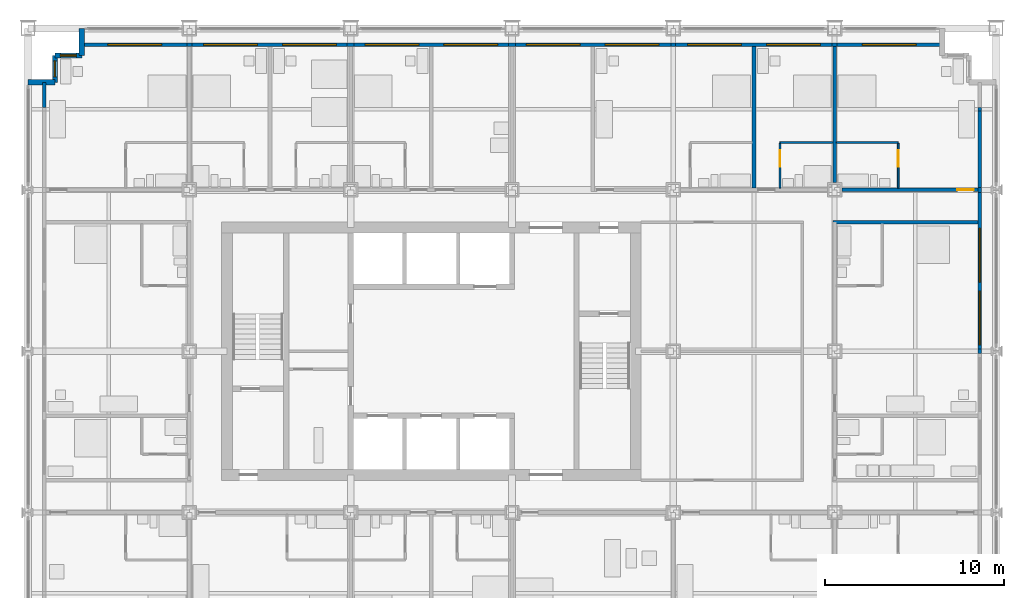
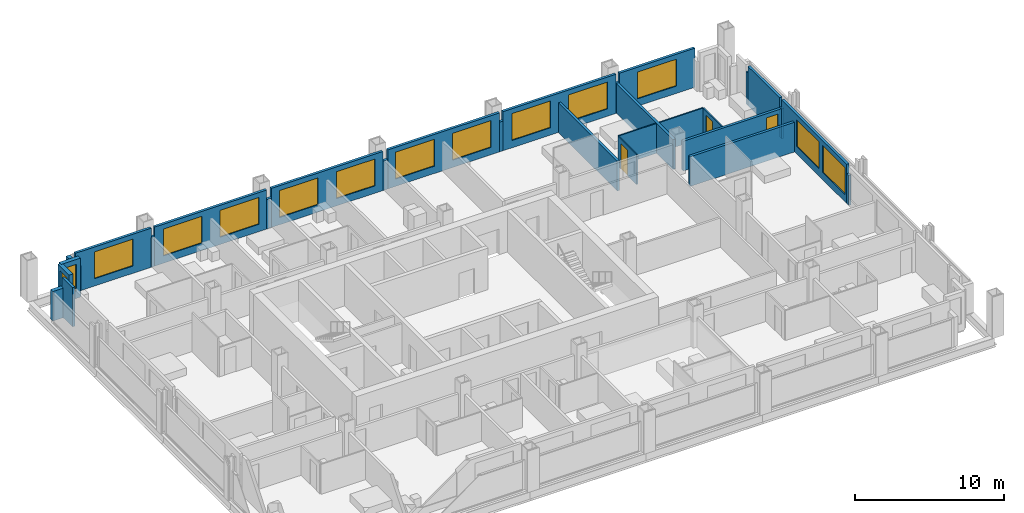
# One storey, part 14 of 18: 29 walls, 14 windows, 3 doors, 17 openings.
"""IFC4 building model written with IfcOpenShell, lengths in metres."""

from ifc_helpers import new_model, si_unit, direction, frame, frame_2d, origin, place, context, subcontext, project, spatial, rectangle, extrude, material, layer, layer_set, type_object, element, fill, save


model = new_model("IFC4")

# Units and contexts
model_context = context("Model", 3, precision=1e-05, world=origin(), true_north=direction((0.0, 1.0)))
body_context = subcontext(model_context, "Body", "Model", "MODEL_VIEW")
ifc_project = project(units=[si_unit("LENGTHUNIT", "METRE"), si_unit("AREAUNIT", "SQUARE_METRE"), si_unit("VOLUMEUNIT", "CUBIC_METRE"), si_unit("PLANEANGLEUNIT", "RADIAN"), si_unit("MASSUNIT", "GRAM", prefix="KILO")], contexts=[model_context])

# Site, building, storey
site_placement = place(None, origin())
site = spatial("IfcSite", under=ifc_project, at=site_placement, CompositionType="ELEMENT")
building_placement = place(site_placement, origin())
building = spatial("IfcBuilding", under=site, at=building_placement, Name="Loomwork Tower", CompositionType="ELEMENT")
storey_placement = place(building_placement, frame((0.0, 0.0, 68.800048828125)))
storey = spatial("IfcBuildingStorey", under=building, at=storey_placement, Name="L17", CompositionType="ELEMENT", Elevation=68.800048828125)

# Wall, opening, door
ifc_material_1 = material(Name="Gypsum board on steel studs, one-hour", Category="steel")
ifc_layer_1 = layer(ifc_material_1, 0.199951171875)
ifc_layer_set_1 = layer_set([ifc_layer_1], Name="Corridor wall 200")
wall_type_1 = type_object("IfcWallType", Name="Corridor wall 200", PredefinedType="PARTITIONING", material=ifc_layer_set_1)
wall_1_placement = place(storey_placement, frame((45.39990234375, 27.0, 0.0), z_axis=(0.0, 0.0, 1.0), x_axis=(1.0, 0.0, 0.0)))
wall_1 = element("IfcWall", 1, at=wall_1_placement, inside=storey, type_object=wall_type_1, Name="North corridor wall 6", PredefinedType="PARTITIONING", context=body_context, shape_type="SweptSolid", body=[
    extrude(rectangle(XDim=7.60009765625, YDim=0.199951171875, at=frame_2d((3.800048828125, 0.0))), origin(), (0.0, 0.0, 1.0), 2.43798828125),
])
opening_1_placement = place(wall_1_placement, frame((6.449951171875, 0.0, 0.0)))
opening_1 = element("IfcOpeningElement", 2, at=opening_1_placement, cuts=wall_1, Name="Opening D1", PredefinedType="OPENING", context=body_context, shape_type="SweptSolid", body=[
    extrude(rectangle(XDim=0.89990234375, YDim=2.10009765625, at=frame_2d((0.449951171875, 1.050048828125))), frame((0.0, 0.10986328125, 0.0), z_axis=(0.0, -1.0, 0.0), x_axis=(1.0, 0.0, 0.0)), (0.0, 0.0, 1.0), 0.219970703125),
])
ifc_material_2 = material(Name="Hollow metal door and frame")
door_type_1 = type_object("IfcDoorType", Name="Guest room entry door 900", OperationType="SINGLE_SWING_LEFT", PredefinedType="DOOR", material=ifc_material_2)
door_1_placement = place(opening_1_placement, origin())
door_1 = element("IfcDoor", 3, at=door_1_placement, inside=storey, type_object=door_type_1, Name="Guest room entry door L17 15", OperationType="SINGLE_SWING_RIGHT", OverallHeight=2.10009765625, OverallWidth=0.89990234375, PredefinedType="DOOR", context=body_context, shape_type="SweptSolid", body=[
    extrude(rectangle(XDim=0.89990234375, YDim=2.10009765625, at=frame_2d((0.449951171875, 1.050048828125))), frame((0.0, 0.02490234375, 0.0), z_axis=(0.0, -1.0, 0.0), x_axis=(1.0, 0.0, 0.0)), (0.0, 0.0, 1.0), 0.050048828125),
])
fill(opening_1, door_1)

# Walls
wall_2_placement = place(storey_placement, frame((44.89990234375, 25.199951171875, 0.0), z_axis=(0.0, 0.0, 1.0), x_axis=(1.0, 0.0, 0.0)))
element("IfcWall", 4, at=wall_2_placement, inside=storey, type_object=wall_type_1, Name="East band end wall N", PredefinedType="PARTITIONING", context=body_context, shape_type="SweptSolid", body=[
    extrude(rectangle(XDim=8.10009765625, YDim=0.199951171875, at=frame_2d((4.050048828125, 0.0))), origin(), (0.0, 0.0, 1.0), 2.43798828125),
])
ifc_material_3 = material(Name="Cement board on steel studs", Category="steel")
ifc_layer_2 = layer(ifc_material_3, 0.10009765625)
ifc_layer_set_2 = layer_set([ifc_layer_2], Name="En-suite partition 100")
wall_type_2 = type_object("IfcWallType", Name="En-suite partition 100", PredefinedType="PARTITIONING", material=ifc_layer_set_2)
wall_3_placement = place(storey_placement, frame((41.949951171875, 29.64990234375, 0.0), z_axis=(0.0, 0.0, 1.0), x_axis=(1.0, 0.0, 0.0)))
element("IfcWall", 5, at=wall_3_placement, inside=storey, type_object=wall_type_2, Name="En-suite wall L17 room 14", PredefinedType="PARTITIONING", context=body_context, shape_type="SweptSolid", body=[
    extrude(rectangle(XDim=2.949951171875, YDim=0.10009765625, at=frame_2d((1.47509765625, 0.0))), origin(), (0.0, 0.0, 1.0), 2.43798828125),
])

# Wall, opening, door
wall_4_placement = place(storey_placement, frame((41.949951171875, 27.10009765625, 0.0), z_axis=(0.0, 0.0, 1.0), x_axis=(0.0, 1.0, 0.0)))
wall_4 = element("IfcWall", 6, at=wall_4_placement, inside=storey, type_object=wall_type_2, Name="En-suite side wall L17 room 14", PredefinedType="PARTITIONING", context=body_context, shape_type="SweptSolid", body=[
    extrude(rectangle(XDim=2.5, YDim=0.10009765625, at=frame_2d((1.25, 0.0))), origin(), (0.0, 0.0, 1.0), 2.43798828125),
])
opening_2_placement = place(wall_4_placement, frame((1.199951171875, 0.0, 0.0)))
opening_2 = element("IfcOpeningElement", 7, at=opening_2_placement, cuts=wall_4, Name="Opening D3", PredefinedType="OPENING", context=body_context, shape_type="SweptSolid", body=[
    extrude(rectangle(XDim=0.89990234375, YDim=2.10009765625, at=frame_2d((0.449951171875, 1.050048828125))), frame((0.0, 0.06005859375, 0.0), z_axis=(0.0, -1.0, 0.0), x_axis=(1.0, 0.0, 0.0)), (0.0, 0.0, 1.0), 0.1201171875),
])
ifc_material_4 = material(Name="Hollow metal door and frame")
door_type_2 = type_object("IfcDoorType", Name="Accessible en-suite door 900", OperationType="SLIDING_TO_LEFT", PredefinedType="DOOR", material=ifc_material_4)
door_2_placement = place(opening_2_placement, origin())
door_2 = element("IfcDoor", 8, at=door_2_placement, inside=storey, type_object=door_type_2, Name="Accessible en-suite door room 14", OperationType="SLIDING_TO_LEFT", OverallHeight=2.10009765625, OverallWidth=0.89990234375, PredefinedType="DOOR", context=body_context, shape_type="SweptSolid", body=[
    extrude(rectangle(XDim=0.89990234375, YDim=2.10009765625, at=frame_2d((0.449951171875, 1.050048828125))), frame((0.0, 0.02490234375, 0.0), z_axis=(0.0, -1.0, 0.0), x_axis=(1.0, 0.0, 0.0)), (0.0, 0.0, 1.0), 0.050048828125),
])
fill(opening_2, door_2)

# Wall
wall_5_placement = place(storey_placement, frame((45.10009765625, 29.64990234375, 0.0), z_axis=(0.0, 0.0, 1.0), x_axis=(1.0, 0.0, 0.0)))
element("IfcWall", 9, at=wall_5_placement, inside=storey, type_object=wall_type_2, Name="En-suite wall L17 room 15", PredefinedType="PARTITIONING", context=body_context, shape_type="SweptSolid", body=[
    extrude(rectangle(XDim=3.449951171875, YDim=0.10009765625, at=frame_2d((1.72509765625, 0.0))), origin(), (0.0, 0.0, 1.0), 2.43798828125),
])

# Wall, opening, door
wall_6_placement = place(storey_placement, frame((48.550048828125, 27.10009765625, 0.0), z_axis=(0.0, 0.0, 1.0), x_axis=(0.0, 1.0, 0.0)))
wall_6 = element("IfcWall", 10, at=wall_6_placement, inside=storey, type_object=wall_type_2, Name="En-suite side wall L17 room 15", PredefinedType="PARTITIONING", context=body_context, shape_type="SweptSolid", body=[
    extrude(rectangle(XDim=2.5, YDim=0.10009765625, at=frame_2d((1.25, 0.0))), origin(), (0.0, 0.0, 1.0), 2.43798828125),
])
opening_3_placement = place(wall_6_placement, frame((1.199951171875, 0.0, 0.0)))
opening_3 = element("IfcOpeningElement", 11, at=opening_3_placement, cuts=wall_6, Name="Opening D2", PredefinedType="OPENING", context=body_context, shape_type="SweptSolid", body=[
    extrude(rectangle(XDim=0.89990234375, YDim=2.10009765625, at=frame_2d((0.449951171875, 1.050048828125))), frame((0.0, 0.06005859375, 0.0), z_axis=(0.0, -1.0, 0.0), x_axis=(1.0, 0.0, 0.0)), (0.0, 0.0, 1.0), 0.1201171875),
])
ifc_material_5 = material(Name="Hollow metal door and frame")
door_type_3 = type_object("IfcDoorType", Name="En-suite door 900", OperationType="SINGLE_SWING_LEFT", PredefinedType="DOOR", material=ifc_material_5)
door_3_placement = place(opening_3_placement, origin())
door_3 = element("IfcDoor", 12, at=door_3_placement, inside=storey, type_object=door_type_3, Name="En-suite door room 15", OperationType="SINGLE_SWING_RIGHT", OverallHeight=2.10009765625, OverallWidth=0.89990234375, PredefinedType="DOOR", context=body_context, shape_type="SweptSolid", body=[
    extrude(rectangle(XDim=0.89990234375, YDim=2.10009765625, at=frame_2d((0.449951171875, 1.050048828125))), frame((0.0, 0.02490234375, 0.0), z_axis=(0.0, -1.0, 0.0), x_axis=(1.0, 0.0, 0.0)), (0.0, 0.0, 1.0), 0.050048828125),
])
fill(opening_3, door_3)

# Walls
ifc_material_6 = material(Name="Gypsum board on steel studs, acoustic", Category="steel")
ifc_layer_3 = layer(ifc_material_6, 0.199951171875)
ifc_layer_set_3 = layer_set([ifc_layer_3], Name="Guest room party wall 200")
wall_type_3 = type_object("IfcWallType", Name="Guest room party wall 200", PredefinedType="PARTITIONING", material=ifc_layer_set_3)
wall_7_placement = place(storey_placement, frame((40.5, 27.10009765625, 0.0), z_axis=(0.0, 0.0, 1.0), x_axis=(0.0, 1.0, 0.0)))
element("IfcWall", 13, at=wall_7_placement, inside=storey, type_object=wall_type_3, Name="Guest room party wall N 40.5", PredefinedType="PARTITIONING", context=body_context, shape_type="SweptSolid", body=[
    extrude(rectangle(XDim=7.89990234375, YDim=0.199951171875, at=frame_2d((3.949951171875, 0.0))), origin(), (0.0, 0.0, 1.0), 2.43798828125),
])
wall_8_placement = place(storey_placement, frame((45.0, 27.39990234375, 0.0), z_axis=(0.0, 0.0, 1.0), x_axis=(0.0, 1.0, 0.0)))
element("IfcWall", 14, at=wall_8_placement, inside=storey, type_object=wall_type_3, Name="Guest room party wall N 45", PredefinedType="PARTITIONING", context=body_context, shape_type="SweptSolid", body=[
    extrude(rectangle(XDim=7.60009765625, YDim=0.199951171875, at=frame_2d((3.800048828125, 0.0))), origin(), (0.0, 0.0, 1.0), 2.43798828125),
])

# Wall, opening, window
ifc_material_7 = material(Name="Insulated steel stud wall with gypsum lining", Category="steel")
ifc_layer_4 = layer(ifc_material_7, 0.199951171875)
ifc_layer_set_4 = layer_set([ifc_layer_4], Name="Inner skin wall 200")
wall_type_4 = type_object("IfcWallType", Name="Inner skin wall 200", PredefinedType="SOLIDWALL", material=ifc_layer_set_4)
wall_9_placement = place(storey_placement, frame((3.0, 35.10009765625, 0.0), z_axis=(0.0, 0.0, 1.0), x_axis=(1.0, 0.0, 0.0)))
wall_9 = element("IfcWall", 15, at=wall_9_placement, inside=storey, type_object=wall_type_4, Name="Inner skin wall N", PredefinedType="SOLIDWALL", context=body_context, shape_type="SweptSolid", body=[
    extrude(rectangle(XDim=5.86474609375, YDim=0.199951171875, at=frame_2d((2.932373046875, 0.0))), origin(), (0.0, 0.0, 1.0), 3.199951171875),
])
opening_4_placement = place(wall_9_placement, frame((1.449951171875, 0.0, 0.60009765625)))
opening_4 = element("IfcOpeningElement", 16, at=opening_4_placement, cuts=wall_9, Name="Opening CH1", PredefinedType="OPENING", context=body_context, shape_type="SweptSolid", body=[
    extrude(rectangle(XDim=3.0, YDim=2.199951171875, at=frame_2d((1.5, 1.10009765625))), frame((0.0, 0.10986328125, 0.0), z_axis=(0.0, -1.0, 0.0), x_axis=(1.0, 0.0, 0.0)), (0.0, 0.0, 1.0), 0.219970703125),
])
ifc_material_8 = material(Name="Aluminium frame with clear insulated glass", Category="aluminium")
window_type_1 = type_object("IfcWindowType", Name="Chicago window 3000", PartitioningType="TRIPLE_PANEL_VERTICAL", PredefinedType="WINDOW", material=ifc_material_8)
window_1_placement = place(opening_4_placement, origin())
window_1 = element("IfcWindow", 17, at=window_1_placement, inside=storey, type_object=window_type_1, Name="Chicago window L17 bay 7", OverallHeight=2.199951171875, OverallWidth=3.0, PartitioningType="TRIPLE_PANEL_VERTICAL", PredefinedType="WINDOW", context=body_context, shape_type="SweptSolid", body=[
    extrude(rectangle(XDim=3.0, YDim=2.199951171875, at=frame_2d((1.5, 1.10009765625))), frame((0.0, 0.030029296875, 0.0), z_axis=(0.0, -1.0, 0.0), x_axis=(1.0, 0.0, 0.0)), (0.0, 0.0, 1.0), 0.06005859375),
])
fill(opening_4, window_1)

# Walls
wall_10_placement = place(storey_placement, frame((0.89990234375, 31.607421875, 0.0), z_axis=(0.0, 0.0, 1.0), x_axis=(0.0, 1.0, 0.0)))
element("IfcWall", 18, at=wall_10_placement, inside=storey, type_object=wall_type_4, Name="Inner skin wall W bay 11", PredefinedType="SOLIDWALL", context=body_context, shape_type="SweptSolid", body=[
    extrude(rectangle(XDim=1.392578125, YDim=0.199951171875, at=frame_2d((0.6962890625, 0.0))), origin(), (0.0, 0.0, 1.0), 3.199951171875),
])
wall_11_placement = place(storey_placement, frame((8.86474609375, 35.10009765625, 0.0), z_axis=(0.0, 0.0, 1.0), x_axis=(1.0, 0.0, 0.0)))
element("IfcWall", 19, at=wall_11_placement, inside=storey, type_object=wall_type_4, Name="Inner skin wall N bay 2", PredefinedType="SOLIDWALL", context=body_context, shape_type="SweptSolid", body=[
    extrude(rectangle(XDim=0.2705078125, YDim=0.199951171875, at=frame_2d((0.13525390625, 0.0))), origin(), (0.0, 0.0, 1.0), 2.43798828125),
])

# Wall, openings, windows
wall_12_placement = place(storey_placement, frame((9.13525390625, 35.10009765625, 0.0), z_axis=(0.0, 0.0, 1.0), x_axis=(1.0, 0.0, 0.0)))
wall_12 = element("IfcWall", 20, at=wall_12_placement, inside=storey, type_object=wall_type_4, Name="Inner skin wall N bay 3", PredefinedType="SOLIDWALL", context=body_context, shape_type="SweptSolid", body=[
    extrude(rectangle(XDim=8.6708984375, YDim=0.199951171875, at=frame_2d((4.33544921875, 0.0))), origin(), (0.0, 0.0, 1.0), 3.199951171875),
])
opening_5_placement = place(wall_12_placement, frame((0.664794921875, 0.0, 0.60009765625)))
opening_5 = element("IfcOpeningElement", 21, at=opening_5_placement, cuts=wall_12, Name="Opening CH1", PredefinedType="OPENING", context=body_context, shape_type="SweptSolid", body=[
    extrude(rectangle(XDim=3.0, YDim=2.199951171875, at=frame_2d((1.5, 1.10009765625))), frame((0.0, 0.10986328125, 0.0), z_axis=(0.0, -1.0, 0.0), x_axis=(1.0, 0.0, 0.0)), (0.0, 0.0, 1.0), 0.219970703125),
])
opening_6_placement = place(wall_12_placement, frame((5.064697265625, 0.0, 0.60009765625)))
opening_6 = element("IfcOpeningElement", 22, at=opening_6_placement, cuts=wall_12, Name="Opening CH1", PredefinedType="OPENING", context=body_context, shape_type="SweptSolid", body=[
    extrude(rectangle(XDim=3.0, YDim=2.199951171875, at=frame_2d((1.5, 1.10009765625))), frame((0.0, 0.10986328125, 0.0), z_axis=(0.0, -1.0, 0.0), x_axis=(1.0, 0.0, 0.0)), (0.0, 0.0, 1.0), 0.219970703125),
])
window_2_placement = place(opening_5_placement, origin())
window_2 = element("IfcWindow", 23, at=window_2_placement, inside=storey, type_object=window_type_1, Name="Chicago window L17 bay 8", OverallHeight=2.199951171875, OverallWidth=3.0, PartitioningType="TRIPLE_PANEL_VERTICAL", PredefinedType="WINDOW", context=body_context, shape_type="SweptSolid", body=[
    extrude(rectangle(XDim=3.0, YDim=2.199951171875, at=frame_2d((1.5, 1.10009765625))), frame((0.0, 0.030029296875, 0.0), z_axis=(0.0, -1.0, 0.0), x_axis=(1.0, 0.0, 0.0)), (0.0, 0.0, 1.0), 0.06005859375),
])
fill(opening_5, window_2)
window_3_placement = place(opening_6_placement, origin())
window_3 = element("IfcWindow", 24, at=window_3_placement, inside=storey, type_object=window_type_1, Name="Chicago window L17 bay 8", OverallHeight=2.199951171875, OverallWidth=3.0, PartitioningType="TRIPLE_PANEL_VERTICAL", PredefinedType="WINDOW", context=body_context, shape_type="SweptSolid", body=[
    extrude(rectangle(XDim=3.0, YDim=2.199951171875, at=frame_2d((1.5, 1.10009765625))), frame((0.0, 0.030029296875, 0.0), z_axis=(0.0, -1.0, 0.0), x_axis=(1.0, 0.0, 0.0)), (0.0, 0.0, 1.0), 0.06005859375),
])
fill(opening_6, window_3)

# Wall
wall_13_placement = place(storey_placement, frame((17.80615234375, 35.10009765625, 0.0), z_axis=(0.0, 0.0, 1.0), x_axis=(1.0, 0.0, 0.0)))
element("IfcWall", 25, at=wall_13_placement, inside=storey, type_object=wall_type_4, Name="Inner skin wall N bay 4", PredefinedType="SOLIDWALL", context=body_context, shape_type="SweptSolid", body=[
    extrude(rectangle(XDim=0.3876953125, YDim=0.199951171875, at=frame_2d((0.19384765625, 0.0))), origin(), (0.0, 0.0, 1.0), 2.404052734375),
])

# Wall, openings, windows
wall_14_placement = place(storey_placement, frame((18.19384765625, 35.10009765625, 0.0), z_axis=(0.0, 0.0, 1.0), x_axis=(1.0, 0.0, 0.0)))
wall_14 = element("IfcWall", 26, at=wall_14_placement, inside=storey, type_object=wall_type_4, Name="Inner skin wall N bay 5", PredefinedType="SOLIDWALL", context=body_context, shape_type="SweptSolid", body=[
    extrude(rectangle(XDim=8.6123046875, YDim=0.199951171875, at=frame_2d((4.30615234375, 0.0))), origin(), (0.0, 0.0, 1.0), 3.199951171875),
])
opening_7_placement = place(wall_14_placement, frame((0.606201171875, 0.0, 0.60009765625)))
opening_7 = element("IfcOpeningElement", 27, at=opening_7_placement, cuts=wall_14, Name="Opening CH1", PredefinedType="OPENING", context=body_context, shape_type="SweptSolid", body=[
    extrude(rectangle(XDim=3.0, YDim=2.199951171875, at=frame_2d((1.5, 1.10009765625))), frame((0.0, 0.10986328125, 0.0), z_axis=(0.0, -1.0, 0.0), x_axis=(1.0, 0.0, 0.0)), (0.0, 0.0, 1.0), 0.219970703125),
])
opening_8_placement = place(wall_14_placement, frame((5.006103515625, 0.0, 0.60009765625)))
opening_8 = element("IfcOpeningElement", 28, at=opening_8_placement, cuts=wall_14, Name="Opening CH1", PredefinedType="OPENING", context=body_context, shape_type="SweptSolid", body=[
    extrude(rectangle(XDim=3.0, YDim=2.199951171875, at=frame_2d((1.5, 1.10009765625))), frame((0.0, 0.10986328125, 0.0), z_axis=(0.0, -1.0, 0.0), x_axis=(1.0, 0.0, 0.0)), (0.0, 0.0, 1.0), 0.219970703125),
])
window_4_placement = place(opening_7_placement, origin())
window_4 = element("IfcWindow", 29, at=window_4_placement, inside=storey, type_object=window_type_1, Name="Chicago window L17 bay 9", OverallHeight=2.199951171875, OverallWidth=3.0, PartitioningType="TRIPLE_PANEL_VERTICAL", PredefinedType="WINDOW", context=body_context, shape_type="SweptSolid", body=[
    extrude(rectangle(XDim=3.0, YDim=2.199951171875, at=frame_2d((1.5, 1.10009765625))), frame((0.0, 0.030029296875, 0.0), z_axis=(0.0, -1.0, 0.0), x_axis=(1.0, 0.0, 0.0)), (0.0, 0.0, 1.0), 0.06005859375),
])
fill(opening_7, window_4)
window_5_placement = place(opening_8_placement, origin())
window_5 = element("IfcWindow", 30, at=window_5_placement, inside=storey, type_object=window_type_1, Name="Chicago window L17 bay 9", OverallHeight=2.199951171875, OverallWidth=3.0, PartitioningType="TRIPLE_PANEL_VERTICAL", PredefinedType="WINDOW", context=body_context, shape_type="SweptSolid", body=[
    extrude(rectangle(XDim=3.0, YDim=2.199951171875, at=frame_2d((1.5, 1.10009765625))), frame((0.0, 0.030029296875, 0.0), z_axis=(0.0, -1.0, 0.0), x_axis=(1.0, 0.0, 0.0)), (0.0, 0.0, 1.0), 0.06005859375),
])
fill(opening_8, window_5)

# Wall
wall_15_placement = place(storey_placement, frame((26.80615234375, 35.10009765625, 0.0), z_axis=(0.0, 0.0, 1.0), x_axis=(1.0, 0.0, 0.0)))
element("IfcWall", 31, at=wall_15_placement, inside=storey, type_object=wall_type_4, Name="Inner skin wall N bay 6", PredefinedType="SOLIDWALL", context=body_context, shape_type="SweptSolid", body=[
    extrude(rectangle(XDim=0.3876953125, YDim=0.199951171875, at=frame_2d((0.19384765625, 0.0))), origin(), (0.0, 0.0, 1.0), 2.404052734375),
])

# Wall, openings, windows
wall_16_placement = place(storey_placement, frame((27.19384765625, 35.10009765625, 0.0), z_axis=(0.0, 0.0, 1.0), x_axis=(1.0, 0.0, 0.0)))
wall_16 = element("IfcWall", 32, at=wall_16_placement, inside=storey, type_object=wall_type_4, Name="Inner skin wall N bay 7", PredefinedType="SOLIDWALL", context=body_context, shape_type="SweptSolid", body=[
    extrude(rectangle(XDim=8.670654296875, YDim=0.199951171875, at=frame_2d((4.33544921875, 0.0))), origin(), (0.0, 0.0, 1.0), 3.199951171875),
])
opening_9_placement = place(wall_16_placement, frame((0.606201171875, 0.0, 0.60009765625)))
opening_9 = element("IfcOpeningElement", 33, at=opening_9_placement, cuts=wall_16, Name="Opening CH1", PredefinedType="OPENING", context=body_context, shape_type="SweptSolid", body=[
    extrude(rectangle(XDim=3.0, YDim=2.199951171875, at=frame_2d((1.5, 1.10009765625))), frame((0.0, 0.10986328125, 0.0), z_axis=(0.0, -1.0, 0.0), x_axis=(1.0, 0.0, 0.0)), (0.0, 0.0, 1.0), 0.219970703125),
])
opening_10_placement = place(wall_16_placement, frame((5.006103515625, 0.0, 0.60009765625)))
opening_10 = element("IfcOpeningElement", 34, at=opening_10_placement, cuts=wall_16, Name="Opening CH1", PredefinedType="OPENING", context=body_context, shape_type="SweptSolid", body=[
    extrude(rectangle(XDim=3.0, YDim=2.199951171875, at=frame_2d((1.5, 1.10009765625))), frame((0.0, 0.10986328125, 0.0), z_axis=(0.0, -1.0, 0.0), x_axis=(1.0, 0.0, 0.0)), (0.0, 0.0, 1.0), 0.219970703125),
])
window_6_placement = place(opening_9_placement, origin())
window_6 = element("IfcWindow", 35, at=window_6_placement, inside=storey, type_object=window_type_1, Name="Chicago window L17 bay 10", OverallHeight=2.199951171875, OverallWidth=3.0, PartitioningType="TRIPLE_PANEL_VERTICAL", PredefinedType="WINDOW", context=body_context, shape_type="SweptSolid", body=[
    extrude(rectangle(XDim=3.0, YDim=2.199951171875, at=frame_2d((1.5, 1.10009765625))), frame((0.0, 0.030029296875, 0.0), z_axis=(0.0, -1.0, 0.0), x_axis=(1.0, 0.0, 0.0)), (0.0, 0.0, 1.0), 0.06005859375),
])
fill(opening_9, window_6)
window_7_placement = place(opening_10_placement, origin())
window_7 = element("IfcWindow", 36, at=window_7_placement, inside=storey, type_object=window_type_1, Name="Chicago window L17 bay 10", OverallHeight=2.199951171875, OverallWidth=3.0, PartitioningType="TRIPLE_PANEL_VERTICAL", PredefinedType="WINDOW", context=body_context, shape_type="SweptSolid", body=[
    extrude(rectangle(XDim=3.0, YDim=2.199951171875, at=frame_2d((1.5, 1.10009765625))), frame((0.0, 0.030029296875, 0.0), z_axis=(0.0, -1.0, 0.0), x_axis=(1.0, 0.0, 0.0)), (0.0, 0.0, 1.0), 0.06005859375),
])
fill(opening_10, window_7)

# Wall
wall_17_placement = place(storey_placement, frame((35.864501953125, 35.10009765625, 0.0), z_axis=(0.0, 0.0, 1.0), x_axis=(1.0, 0.0, 0.0)))
element("IfcWall", 37, at=wall_17_placement, inside=storey, type_object=wall_type_4, Name="Inner skin wall N bay 8", PredefinedType="SOLIDWALL", context=body_context, shape_type="SweptSolid", body=[
    extrude(rectangle(XDim=0.27099609375, YDim=0.199951171875, at=frame_2d((0.135498046875, 0.0))), origin(), (0.0, 0.0, 1.0), 2.43798828125),
])

# Wall, openings, windows
wall_18_placement = place(storey_placement, frame((36.135498046875, 35.10009765625, 0.0), z_axis=(0.0, 0.0, 1.0), x_axis=(1.0, 0.0, 0.0)))
wall_18 = element("IfcWall", 38, at=wall_18_placement, inside=storey, type_object=wall_type_4, Name="Inner skin wall N bay 9", PredefinedType="SOLIDWALL", context=body_context, shape_type="SweptSolid", body=[
    extrude(rectangle(XDim=8.72900390625, YDim=0.199951171875, at=frame_2d((4.364501953125, 0.0))), origin(), (0.0, 0.0, 1.0), 3.199951171875),
])
opening_11_placement = place(wall_18_placement, frame((0.66455078125, 0.0, 0.60009765625)))
opening_11 = element("IfcOpeningElement", 39, at=opening_11_placement, cuts=wall_18, Name="Opening CH1", PredefinedType="OPENING", context=body_context, shape_type="SweptSolid", body=[
    extrude(rectangle(XDim=3.0, YDim=2.199951171875, at=frame_2d((1.5, 1.10009765625))), frame((0.0, 0.10986328125, 0.0), z_axis=(0.0, -1.0, 0.0), x_axis=(1.0, 0.0, 0.0)), (0.0, 0.0, 1.0), 0.219970703125),
])
opening_12_placement = place(wall_18_placement, frame((5.064697265625, 0.0, 0.60009765625)))
opening_12 = element("IfcOpeningElement", 40, at=opening_12_placement, cuts=wall_18, Name="Opening CH1", PredefinedType="OPENING", context=body_context, shape_type="SweptSolid", body=[
    extrude(rectangle(XDim=3.0, YDim=2.199951171875, at=frame_2d((1.5, 1.10009765625))), frame((0.0, 0.10986328125, 0.0), z_axis=(0.0, -1.0, 0.0), x_axis=(1.0, 0.0, 0.0)), (0.0, 0.0, 1.0), 0.219970703125),
])
window_8_placement = place(opening_11_placement, origin())
window_8 = element("IfcWindow", 41, at=window_8_placement, inside=storey, type_object=window_type_1, Name="Chicago window L17 bay 11", OverallHeight=2.199951171875, OverallWidth=3.0, PartitioningType="TRIPLE_PANEL_VERTICAL", PredefinedType="WINDOW", context=body_context, shape_type="SweptSolid", body=[
    extrude(rectangle(XDim=3.0, YDim=2.199951171875, at=frame_2d((1.5, 1.10009765625))), frame((0.0, 0.030029296875, 0.0), z_axis=(0.0, -1.0, 0.0), x_axis=(1.0, 0.0, 0.0)), (0.0, 0.0, 1.0), 0.06005859375),
])
fill(opening_11, window_8)
window_9_placement = place(opening_12_placement, origin())
window_9 = element("IfcWindow", 42, at=window_9_placement, inside=storey, type_object=window_type_1, Name="Chicago window L17 bay 11", OverallHeight=2.199951171875, OverallWidth=3.0, PartitioningType="TRIPLE_PANEL_VERTICAL", PredefinedType="WINDOW", context=body_context, shape_type="SweptSolid", body=[
    extrude(rectangle(XDim=3.0, YDim=2.199951171875, at=frame_2d((1.5, 1.10009765625))), frame((0.0, 0.030029296875, 0.0), z_axis=(0.0, -1.0, 0.0), x_axis=(1.0, 0.0, 0.0)), (0.0, 0.0, 1.0), 0.06005859375),
])
fill(opening_12, window_9)

# Wall
wall_19_placement = place(storey_placement, frame((44.864501953125, 35.10009765625, 0.0), z_axis=(0.0, 0.0, 1.0), x_axis=(1.0, 0.0, 0.0)))
element("IfcWall", 43, at=wall_19_placement, inside=storey, type_object=wall_type_4, Name="Inner skin wall N bay 10", PredefinedType="SOLIDWALL", context=body_context, shape_type="SweptSolid", body=[
    extrude(rectangle(XDim=0.27099609375, YDim=0.199951171875, at=frame_2d((0.135498046875, 0.0))), origin(), (0.0, 0.0, 1.0), 2.43798828125),
])

# Wall, opening, window
wall_20_placement = place(storey_placement, frame((45.135498046875, 35.10009765625, 0.0), z_axis=(0.0, 0.0, 1.0), x_axis=(1.0, 0.0, 0.0)))
wall_20 = element("IfcWall", 44, at=wall_20_placement, inside=storey, type_object=wall_type_4, Name="Inner skin wall N bay 11", PredefinedType="SOLIDWALL", context=body_context, shape_type="SweptSolid", body=[
    extrude(rectangle(XDim=5.864501953125, YDim=0.199951171875, at=frame_2d((2.93212890625, 0.0))), origin(), (0.0, 0.0, 1.0), 3.199951171875),
])
opening_13_placement = place(wall_20_placement, frame((1.41455078125, 0.0, 0.60009765625)))
opening_13 = element("IfcOpeningElement", 45, at=opening_13_placement, cuts=wall_20, Name="Opening CH1", PredefinedType="OPENING", context=body_context, shape_type="SweptSolid", body=[
    extrude(rectangle(XDim=3.0, YDim=2.199951171875, at=frame_2d((1.5, 1.10009765625))), frame((0.0, 0.10986328125, 0.0), z_axis=(0.0, -1.0, 0.0), x_axis=(1.0, 0.0, 0.0)), (0.0, 0.0, 1.0), 0.219970703125),
])
window_10_placement = place(opening_13_placement, origin())
window_10 = element("IfcWindow", 46, at=window_10_placement, inside=storey, type_object=window_type_1, Name="Chicago window L17 bay 12", OverallHeight=2.199951171875, OverallWidth=3.0, PartitioningType="TRIPLE_PANEL_VERTICAL", PredefinedType="WINDOW", context=body_context, shape_type="SweptSolid", body=[
    extrude(rectangle(XDim=3.0, YDim=2.199951171875, at=frame_2d((1.5, 1.10009765625))), frame((0.0, 0.030029296875, 0.0), z_axis=(0.0, -1.0, 0.0), x_axis=(1.0, 0.0, 0.0)), (0.0, 0.0, 1.0), 0.06005859375),
])
fill(opening_13, window_10)

# Wall
wall_21_placement = place(storey_placement, frame((53.10009765625, 17.864501953125, 0.0), z_axis=(0.0, 0.0, 1.0), x_axis=(0.0, 1.0, 0.0)))
element("IfcWall", 47, at=wall_21_placement, inside=storey, type_object=wall_type_4, Name="Inner skin wall E bay 6", PredefinedType="SOLIDWALL", context=body_context, shape_type="SweptSolid", body=[
    extrude(rectangle(XDim=0.27099609375, YDim=0.199951171875, at=frame_2d((0.135498046875, 0.0))), origin(), (0.0, 0.0, 1.0), 2.43798828125),
])

# Wall, openings, windows
wall_22_placement = place(storey_placement, frame((53.10009765625, 18.135498046875, 0.0), z_axis=(0.0, 0.0, 1.0), x_axis=(0.0, 1.0, 0.0)))
wall_22 = element("IfcWall", 48, at=wall_22_placement, inside=storey, type_object=wall_type_4, Name="Inner skin wall E bay 7", PredefinedType="SOLIDWALL", context=body_context, shape_type="SweptSolid", body=[
    extrude(rectangle(XDim=8.729248046875, YDim=0.199951171875, at=frame_2d((4.36474609375, 0.0))), origin(), (0.0, 0.0, 1.0), 3.199951171875),
])
opening_14_placement = place(wall_22_placement, frame((0.214599609375, 0.0, 0.60009765625)))
opening_14 = element("IfcOpeningElement", 49, at=opening_14_placement, cuts=wall_22, Name="Opening CH1", PredefinedType="OPENING", context=body_context, shape_type="SweptSolid", body=[
    extrude(rectangle(XDim=3.0, YDim=2.199951171875, at=frame_2d((1.5, 1.10009765625))), frame((0.0, 0.10986328125, 0.0), z_axis=(0.0, -1.0, 0.0), x_axis=(1.0, 0.0, 0.0)), (0.0, 0.0, 1.0), 0.219970703125),
])
opening_15_placement = place(wall_22_placement, frame((3.714599609375, 0.0, 0.60009765625)))
opening_15 = element("IfcOpeningElement", 50, at=opening_15_placement, cuts=wall_22, Name="Opening CH1", PredefinedType="OPENING", context=body_context, shape_type="SweptSolid", body=[
    extrude(rectangle(XDim=3.0, YDim=2.199951171875, at=frame_2d((1.5, 1.10009765625))), frame((0.0, 0.10986328125, 0.0), z_axis=(0.0, -1.0, 0.0), x_axis=(1.0, 0.0, 0.0)), (0.0, 0.0, 1.0), 0.219970703125),
])
window_11_placement = place(opening_14_placement, origin())
window_11 = element("IfcWindow", 51, at=window_11_placement, inside=storey, type_object=window_type_1, Name="Chicago window L17 bay 16", OverallHeight=2.199951171875, OverallWidth=3.0, PartitioningType="TRIPLE_PANEL_VERTICAL", PredefinedType="WINDOW", context=body_context, shape_type="SweptSolid", body=[
    extrude(rectangle(XDim=3.0, YDim=2.199951171875, at=frame_2d((1.5, 1.10009765625))), frame((0.0, 0.030029296875, 0.0), z_axis=(0.0, -1.0, 0.0), x_axis=(1.0, 0.0, 0.0)), (0.0, 0.0, 1.0), 0.06005859375),
])
fill(opening_14, window_11)
window_12_placement = place(opening_15_placement, origin())
window_12 = element("IfcWindow", 52, at=window_12_placement, inside=storey, type_object=window_type_1, Name="Chicago window L17 bay 16", OverallHeight=2.199951171875, OverallWidth=3.0, PartitioningType="TRIPLE_PANEL_VERTICAL", PredefinedType="WINDOW", context=body_context, shape_type="SweptSolid", body=[
    extrude(rectangle(XDim=3.0, YDim=2.199951171875, at=frame_2d((1.5, 1.10009765625))), frame((0.0, 0.030029296875, 0.0), z_axis=(0.0, -1.0, 0.0), x_axis=(1.0, 0.0, 0.0)), (0.0, 0.0, 1.0), 0.06005859375),
])
fill(opening_15, window_12)

# Walls
wall_23_placement = place(storey_placement, frame((53.10009765625, 26.86474609375, 0.0), z_axis=(0.0, 0.0, 1.0), x_axis=(0.0, 1.0, 0.0)))
element("IfcWall", 53, at=wall_23_placement, inside=storey, type_object=wall_type_4, Name="Inner skin wall E bay 8", PredefinedType="SOLIDWALL", context=body_context, shape_type="SweptSolid", body=[
    extrude(rectangle(XDim=0.2705078125, YDim=0.199951171875, at=frame_2d((0.13525390625, 0.0))), origin(), (0.0, 0.0, 1.0), 2.43798828125),
])
wall_24_placement = place(storey_placement, frame((53.10009765625, 27.13525390625, 0.0), z_axis=(0.0, 0.0, 1.0), x_axis=(0.0, 1.0, 0.0)))
element("IfcWall", 54, at=wall_24_placement, inside=storey, type_object=wall_type_4, Name="Inner skin wall E bay 9", PredefinedType="SOLIDWALL", context=body_context, shape_type="SweptSolid", body=[
    extrude(rectangle(XDim=4.25732421875, YDim=0.199951171875, at=frame_2d((2.128662109375, 0.0))), origin(), (0.0, 0.0, 1.0), 3.199951171875),
])
wall_25_placement = place(storey_placement, frame((53.10009765625, 31.392578125, 0.0), z_axis=(0.0, 0.0, 1.0), x_axis=(0.0, 1.0, 0.0)))
element("IfcWall", 55, at=wall_25_placement, inside=storey, type_object=wall_type_4, Name="Inner skin wall E bay 10", PredefinedType="SOLIDWALL", context=body_context, shape_type="SweptSolid", body=[
    extrude(rectangle(XDim=0.21484375, YDim=0.199951171875, at=frame_2d((0.107421875, 0.0))), origin(), (0.0, 0.0, 1.0), 2.660888671875),
])
ifc_material_9 = material(Name="Limestone on concrete masonry", Category="masonry")
ifc_layer_5 = layer(ifc_material_9, 0.300048828125)
ifc_layer_set_5 = layer_set([ifc_layer_5], Name="Limestone corner wall 300")
wall_type_5 = type_object("IfcWallType", Name="Limestone corner wall 300", PredefinedType="SOLIDWALL", material=ifc_layer_set_5)
wall_26_placement = place(storey_placement, frame((3.0, 36.0, 0.0), z_axis=(0.0, 0.0, 1.0), x_axis=(0.0, -1.0, 0.0)))
element("IfcWall", 56, at=wall_26_placement, inside=storey, type_object=wall_type_5, Name="Stone corner wall NW 1", PredefinedType="SOLIDWALL", context=body_context, shape_type="SweptSolid", body=[
    extrude(rectangle(XDim=1.5, YDim=0.300048828125, at=frame_2d((0.75, 0.0))), origin(), (0.0, 0.0, 1.0), 2.419921875),
])

# Wall, opening, window
wall_27_placement = place(storey_placement, frame((3.0, 34.5, 0.0), z_axis=(0.0, 0.0, 1.0), x_axis=(-1.0, 0.0, 0.0)))
wall_27 = element("IfcWall", 57, at=wall_27_placement, inside=storey, type_object=wall_type_5, Name="Stone corner wall NW 2", PredefinedType="SOLIDWALL", context=body_context, shape_type="SweptSolid", body=[
    extrude(rectangle(XDim=1.5, YDim=0.300048828125, at=frame_2d((0.75, 0.0))), origin(), (0.0, 0.0, 1.0), 3.199951171875),
])
opening_16_placement = place(wall_27_placement, frame((0.300048828125, 0.0, 0.60009765625)))
opening_16 = element("IfcOpeningElement", 58, at=opening_16_placement, cuts=wall_27, Name="Opening CH2", PredefinedType="OPENING", context=body_context, shape_type="SweptSolid", body=[
    extrude(rectangle(XDim=0.89990234375, YDim=2.199951171875, at=frame_2d((0.449951171875, 1.10009765625))), frame((0.0, 0.159912109375, 0.0), z_axis=(0.0, -1.0, 0.0), x_axis=(1.0, 0.0, 0.0)), (0.0, 0.0, 1.0), 0.320068359375),
])
ifc_material_10 = material(Name="Aluminium frame with clear insulated glass", Category="aluminium")
window_type_2 = type_object("IfcWindowType", Name="Corner window 900", PartitioningType="SINGLE_PANEL", PredefinedType="WINDOW", material=ifc_material_10)
window_13_placement = place(opening_16_placement, origin())
window_13 = element("IfcWindow", 59, at=window_13_placement, inside=storey, type_object=window_type_2, Name="Corner window NW", OverallHeight=2.199951171875, OverallWidth=0.89990234375, PartitioningType="SINGLE_PANEL", PredefinedType="WINDOW", context=body_context, shape_type="SweptSolid", body=[
    extrude(rectangle(XDim=0.89990234375, YDim=2.199951171875, at=frame_2d((0.449951171875, 1.10009765625))), frame((0.0, 0.030029296875, 0.0), z_axis=(0.0, -1.0, 0.0), x_axis=(1.0, 0.0, 0.0)), (0.0, 0.0, 1.0), 0.06005859375),
])
fill(opening_16, window_13)

wall_28_placement = place(storey_placement, frame((1.5, 34.5, 0.0), z_axis=(0.0, 0.0, 1.0), x_axis=(0.0, -1.0, 0.0)))
wall_28 = element("IfcWall", 60, at=wall_28_placement, inside=storey, type_object=wall_type_5, Name="Stone corner wall NW 3", PredefinedType="SOLIDWALL", context=body_context, shape_type="SweptSolid", body=[
    extrude(rectangle(XDim=1.5, YDim=0.300048828125, at=frame_2d((0.75, 0.0))), origin(), (0.0, 0.0, 1.0), 3.199951171875),
])
opening_17_placement = place(wall_28_placement, frame((0.300048828125, 0.0, 0.60009765625)))
opening_17 = element("IfcOpeningElement", 61, at=opening_17_placement, cuts=wall_28, Name="Opening CH2", PredefinedType="OPENING", context=body_context, shape_type="SweptSolid", body=[
    extrude(rectangle(XDim=0.89990234375, YDim=2.199951171875, at=frame_2d((0.449951171875, 1.10009765625))), frame((0.0, 0.159912109375, 0.0), z_axis=(0.0, -1.0, 0.0), x_axis=(1.0, 0.0, 0.0)), (0.0, 0.0, 1.0), 0.320068359375),
])
window_14_placement = place(opening_17_placement, origin())
window_14 = element("IfcWindow", 62, at=window_14_placement, inside=storey, type_object=window_type_2, Name="Corner window NW", OverallHeight=2.199951171875, OverallWidth=0.89990234375, PartitioningType="SINGLE_PANEL", PredefinedType="WINDOW", context=body_context, shape_type="SweptSolid", body=[
    extrude(rectangle(XDim=0.89990234375, YDim=2.199951171875, at=frame_2d((0.449951171875, 1.10009765625))), frame((0.0, 0.030029296875, 0.0), z_axis=(0.0, -1.0, 0.0), x_axis=(1.0, 0.0, 0.0)), (0.0, 0.0, 1.0), 0.06005859375),
])
fill(opening_17, window_14)

# Wall
wall_29_placement = place(storey_placement, frame((1.5, 33.0, 0.0), z_axis=(0.0, 0.0, 1.0), x_axis=(-1.0, 0.0, 0.0)))
element("IfcWall", 63, at=wall_29_placement, inside=storey, type_object=wall_type_5, Name="Stone corner wall NW 4", PredefinedType="SOLIDWALL", context=body_context, shape_type="SweptSolid", body=[
    extrude(rectangle(XDim=1.5, YDim=0.300048828125, at=frame_2d((0.75, 0.0))), origin(), (0.0, 0.0, 1.0), 2.419921875),
])

save(model, "model.ifc")
